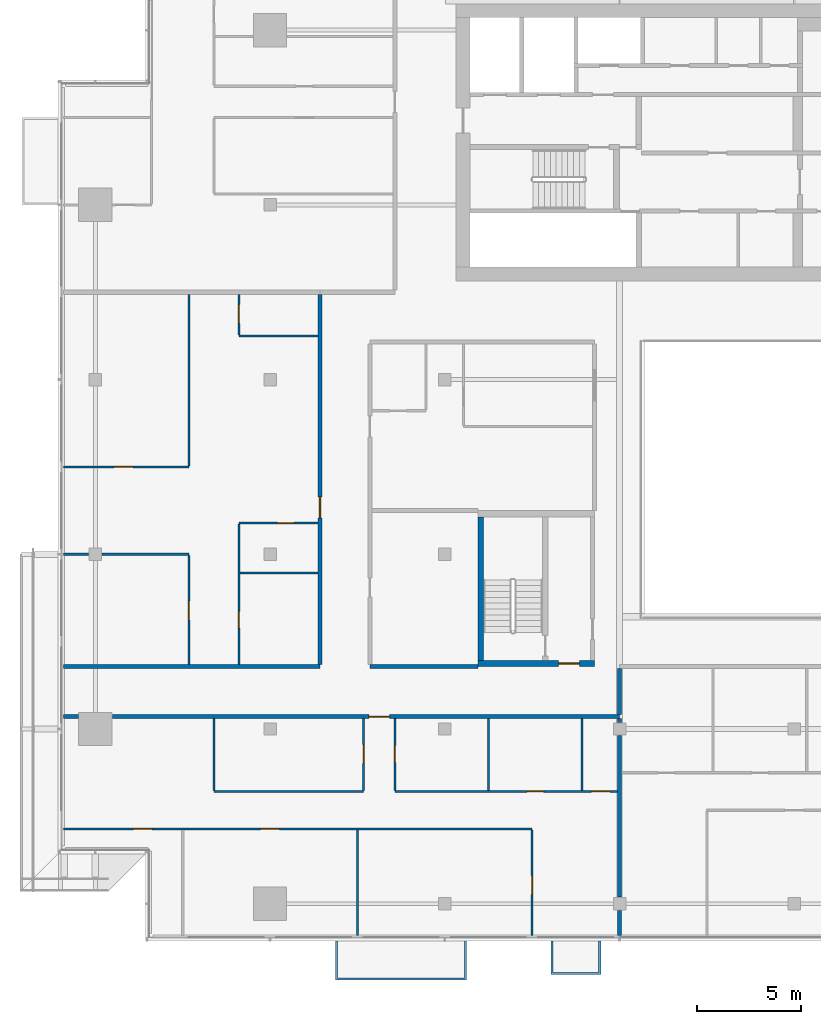
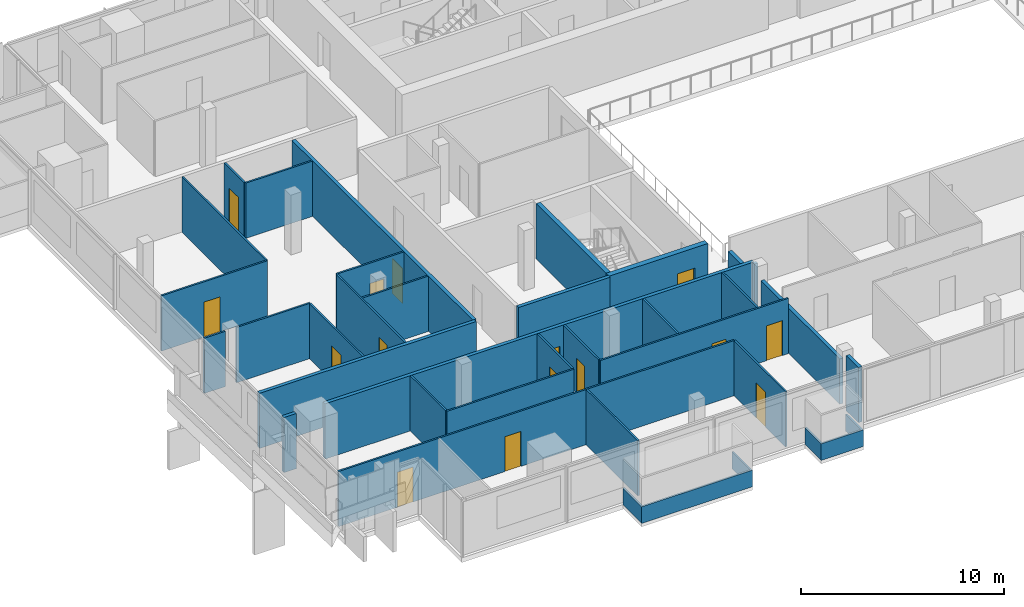
# One storey, part 18 of 30: 33 walls, 15 doors, 15 openings.
"""IFC4 building model written with IfcOpenShell, lengths in metres."""

from ifc_helpers import new_model, si_unit, direction, frame, frame_2d, origin, place, context, subcontext, project, spatial, polyline, rectangle, outline, extrude, material, layer, layer_set, type_object, element, fill, save


model = new_model("IFC4")

# Units and contexts
model_context = context("Model", 3, precision=1e-05, world=origin(), true_north=direction((0.0, 1.0)))
body_context = subcontext(model_context, "Body", "Model", "MODEL_VIEW")
ifc_project = project(units=[si_unit("LENGTHUNIT", "METRE"), si_unit("AREAUNIT", "SQUARE_METRE"), si_unit("VOLUMEUNIT", "CUBIC_METRE"), si_unit("PLANEANGLEUNIT", "RADIAN"), si_unit("MASSUNIT", "GRAM", prefix="KILO")], contexts=[model_context])

# Site, building, storey
site_placement = place(None, origin())
site = spatial("IfcSite", under=ifc_project, at=site_placement, CompositionType="ELEMENT")
building_placement = place(site_placement, origin())
building = spatial("IfcBuilding", under=site, at=building_placement, Name="Saffron Gate Tower", CompositionType="ELEMENT")
storey_placement = place(building_placement, frame((0.0, 0.0, 223.5)))
storey = spatial("IfcBuildingStorey", under=building, at=storey_placement, Name="L54", CompositionType="ELEMENT", Elevation=223.5)

# Wall
ifc_material_1 = material(Name="Concrete C60", Category="concrete")
ifc_layer_1 = layer(ifc_material_1, 0.25)
ifc_layer_set_1 = layer_set([ifc_layer_1], Name="CW14 RC core wall 250 C60")
wall_type_1 = type_object("IfcWallType", Name="CW14 RC core wall 250 C60", PredefinedType="SOLIDWALL", material=ifc_layer_set_1)
wall_1_placement = place(storey_placement, frame((68.324951171875, 43.5, 0.0), z_axis=(0.0, 0.0, 1.0), x_axis=(0.0, 1.0, 0.0)))
element("IfcWall", 1, at=wall_1_placement, inside=storey, type_object=wall_type_1, Name="Wall CW14-L54-D-2", PredefinedType="SOLIDWALL", context=body_context, shape_type="SweptSolid", body=[
    extrude(rectangle(XDim=6.89990234375, YDim=0.25, at=frame_2d((3.449951171875, 0.0))), origin(), (0.0, 0.0, 1.0), 3.320068359375),
])

# Wall, opening, door
ifc_layer_2 = layer(ifc_material_1, 0.300048828125)
ifc_layer_set_2 = layer_set([ifc_layer_2], Name="CW17 RC core wall 300 C60")
wall_type_2 = type_object("IfcWallType", Name="CW17 RC core wall 300 C60", PredefinedType="SOLIDWALL", material=ifc_layer_set_2)
wall_2_placement = place(storey_placement, frame((68.199951171875, 43.35009765625, 0.0), z_axis=(0.0, 0.0, 1.0), x_axis=(1.0, 0.0, 0.0)))
wall_2 = element("IfcWall", 2, at=wall_2_placement, inside=storey, type_object=wall_type_2, Name="Wall CW17-L54-D-1", PredefinedType="SOLIDWALL", context=body_context, shape_type="SweptSolid", body=[
    extrude(rectangle(XDim=5.60009765625, YDim=0.300048828125, at=frame_2d((2.800048828125, 0.0))), origin(), (0.0, 0.0, 1.0), 3.320068359375),
])
opening_1_placement = place(wall_2_placement, frame((3.875, 0.0, 0.0)))
opening_1 = element("IfcOpeningElement", 3, at=opening_1_placement, cuts=wall_2, Name="Opening CR-18", PredefinedType="OPENING", context=body_context, shape_type="SweptSolid", body=[
    extrude(rectangle(XDim=1.0, YDim=2.10009765625, at=frame_2d((0.5, 1.050048828125))), frame((0.0, 0.16015625, 0.0), z_axis=(0.0, -1.0, 0.0), x_axis=(1.0, 0.0, 0.0)), (0.0, 0.0, 1.0), 0.320068359375),
])
ifc_material_2 = material(Name="Steel fire door set", Category="steel")
door_type_1 = type_object("IfcDoorType", Name="CD4 Lobby door 1000x2100 EI 120", OperationType="NOTDEFINED", PredefinedType="DOOR", material=ifc_material_2)
door_1_placement = place(opening_1_placement, origin())
door_1 = element("IfcDoor", 4, at=door_1_placement, inside=storey, type_object=door_type_1, Name="DOOR CR-18", OperationType="SINGLE_SWING_RIGHT", OverallHeight=2.10009765625, OverallWidth=1.0, PredefinedType="DOOR", context=body_context, shape_type="SweptSolid", body=[
    extrude(rectangle(XDim=1.0, YDim=2.10009765625, at=frame_2d((0.5, 1.050048828125))), frame((0.0, 0.02490234375, 0.0), z_axis=(0.0, -1.0, 0.0), x_axis=(1.0, 0.0, 0.0)), (0.0, 0.0, 1.0), 0.050048828125),
])
fill(opening_1, door_1)

# Wall, openings, doors
ifc_material_3 = material(Name="Plasterboard on steel studs", Category="steel")
ifc_layer_3 = layer(ifc_material_3, 0.10009765625)
ifc_layer_set_3 = layer_set([ifc_layer_3], Name="PW1 Partition 100")
wall_type_3 = type_object("IfcWallType", Name="PW1 Partition 100", PredefinedType="PARTITIONING", material=ifc_layer_set_3)
wall_3_placement = place(storey_placement, frame((70.800048828125, 35.39990234375, 0.0), z_axis=(0.0, 0.0, 1.0), x_axis=(-1.0, 0.0, 0.0)))
wall_3 = element("IfcWall", 5, at=wall_3_placement, inside=storey, type_object=wall_type_3, Name="Partition D2-3", PredefinedType="PARTITIONING", context=body_context, shape_type="SweptSolid", body=[
    extrude(rectangle(XDim=22.52001953125, YDim=0.10009765625, at=frame_2d((11.260009765625, 0.0))), origin(), (0.0, 0.0, 1.0), 3.320068359375),
])
opening_2_placement = place(wall_3_placement, frame((12.14990234375, 0.0, 0.0)))
opening_2 = element("IfcOpeningElement", 6, at=opening_2_placement, cuts=wall_3, Name="Opening D2-11", PredefinedType="OPENING", context=body_context, shape_type="SweptSolid", body=[
    extrude(rectangle(XDim=0.89990234375, YDim=2.10009765625, at=frame_2d((0.449951171875, 1.050048828125))), frame((0.0, 0.06005859375, 0.0), z_axis=(0.0, -1.0, 0.0), x_axis=(1.0, 0.0, 0.0)), (0.0, 0.0, 1.0), 0.1201171875),
])
opening_3_placement = place(wall_3_placement, frame((18.2744140625, 0.0, 0.0)))
opening_3 = element("IfcOpeningElement", 7, at=opening_3_placement, cuts=wall_3, Name="Opening D2-10", PredefinedType="OPENING", context=body_context, shape_type="SweptSolid", body=[
    extrude(rectangle(XDim=0.89990234375, YDim=2.10009765625, at=frame_2d((0.449951171875, 1.050048828125))), frame((0.0, 0.06005859375, 0.0), z_axis=(0.0, -1.0, 0.0), x_axis=(1.0, 0.0, 0.0)), (0.0, 0.0, 1.0), 0.1201171875),
])
ifc_material_4 = material(Name="Timber door set", Category="wood")
door_type_2 = type_object("IfcDoorType", Name="RD1 Room door 900x2100", OperationType="NOTDEFINED", PredefinedType="DOOR", material=ifc_material_4)
door_2_placement = place(opening_2_placement, origin())
door_2 = element("IfcDoor", 8, at=door_2_placement, inside=storey, type_object=door_type_2, Name="Door D2-11", OperationType="SINGLE_SWING_RIGHT", OverallHeight=2.10009765625, OverallWidth=0.89990234375, PredefinedType="DOOR", context=body_context, shape_type="SweptSolid", body=[
    extrude(rectangle(XDim=0.89990234375, YDim=2.10009765625, at=frame_2d((0.449951171875, 1.050048828125))), frame((0.0, 0.02490234375, 0.0), z_axis=(0.0, -1.0, 0.0), x_axis=(1.0, 0.0, 0.0)), (0.0, 0.0, 1.0), 0.050048828125),
])
fill(opening_2, door_2)
door_3_placement = place(opening_3_placement, origin())
door_3 = element("IfcDoor", 9, at=door_3_placement, inside=storey, type_object=door_type_2, Name="Door D2-10", OperationType="SINGLE_SWING_LEFT", OverallHeight=2.10009765625, OverallWidth=0.89990234375, PredefinedType="DOOR", context=body_context, shape_type="SweptSolid", body=[
    extrude(rectangle(XDim=0.89990234375, YDim=2.10009765625, at=frame_2d((0.449951171875, 1.050048828125))), frame((0.0, 0.02490234375, 0.0), z_axis=(0.0, -1.0, 0.0), x_axis=(1.0, 0.0, 0.0)), (0.0, 0.0, 1.0), 0.050048828125),
])
fill(opening_3, door_3)

# Wall
wall_4_placement = place(storey_placement, frame((55.5, 37.199951171875, 0.0), z_axis=(0.0, 0.0, 1.0), x_axis=(1.0, 0.0, 0.0)))
element("IfcWall", 10, at=wall_4_placement, inside=storey, type_object=wall_type_3, Name="Partition D2-5", PredefinedType="PARTITIONING", context=body_context, shape_type="SweptSolid", body=[
    extrude(rectangle(XDim=7.199951171875, YDim=0.10009765625, at=frame_2d((3.60009765625, 0.0))), origin(), (0.0, 0.0, 1.0), 3.320068359375),
])

# Wall, openings, doors
wall_5_placement = place(storey_placement, frame((64.199951171875, 37.199951171875, 0.0), z_axis=(0.0, 0.0, 1.0), x_axis=(1.0, 0.0, 0.0)))
wall_5 = element("IfcWall", 11, at=wall_5_placement, inside=storey, type_object=wall_type_3, Name="Partition D2-6", PredefinedType="PARTITIONING", context=body_context, shape_type="SweptSolid", body=[
    extrude(rectangle(XDim=10.699951171875, YDim=0.10009765625, at=frame_2d((5.35009765625, 0.0))), origin(), (0.0, 0.0, 1.0), 3.320068359375),
])
opening_4_placement = place(wall_5_placement, frame((6.35009765625, 0.0, 0.0)))
opening_4 = element("IfcOpeningElement", 12, at=opening_4_placement, cuts=wall_5, Name="Opening D2-40", PredefinedType="OPENING", context=body_context, shape_type="SweptSolid", body=[
    extrude(rectangle(XDim=0.800048828125, YDim=2.10009765625, at=frame_2d((0.39990234375, 1.050048828125))), frame((0.0, 0.06005859375, 0.0), z_axis=(0.0, -1.0, 0.0), x_axis=(1.0, 0.0, 0.0)), (0.0, 0.0, 1.0), 0.1201171875),
])
opening_5_placement = place(wall_5_placement, frame((9.449951171875, 0.0, 0.0)))
opening_5 = element("IfcOpeningElement", 13, at=opening_5_placement, cuts=wall_5, Name="Opening D2-14", PredefinedType="OPENING", context=body_context, shape_type="SweptSolid", body=[
    extrude(rectangle(XDim=0.89990234375, YDim=2.10009765625, at=frame_2d((0.449951171875, 1.050048828125))), frame((0.0, 0.06005859375, 0.0), z_axis=(0.0, -1.0, 0.0), x_axis=(1.0, 0.0, 0.0)), (0.0, 0.0, 1.0), 0.1201171875),
])
door_4_placement = place(opening_5_placement, origin())
door_4 = element("IfcDoor", 14, at=door_4_placement, inside=storey, type_object=door_type_2, Name="Door D2-14", OperationType="SINGLE_SWING_RIGHT", OverallHeight=2.10009765625, OverallWidth=0.89990234375, PredefinedType="DOOR", context=body_context, shape_type="SweptSolid", body=[
    extrude(rectangle(XDim=0.89990234375, YDim=2.10009765625, at=frame_2d((0.449951171875, 1.050048828125))), frame((0.0, 0.02490234375, 0.0), z_axis=(0.0, -1.0, 0.0), x_axis=(1.0, 0.0, 0.0)), (0.0, 0.0, 1.0), 0.050048828125),
])
fill(opening_5, door_4)
door_type_3 = type_object("IfcDoorType", Name="RD2 Bathroom door 800x2100", OperationType="NOTDEFINED", PredefinedType="DOOR", material=ifc_material_4)
door_5_placement = place(opening_4_placement, origin())
door_5 = element("IfcDoor", 15, at=door_5_placement, inside=storey, type_object=door_type_3, Name="Door D2-40", OperationType="SINGLE_SWING_LEFT", OverallHeight=2.10009765625, OverallWidth=0.800048828125, PredefinedType="DOOR", context=body_context, shape_type="SweptSolid", body=[
    extrude(rectangle(XDim=0.800048828125, YDim=2.10009765625, at=frame_2d((0.39990234375, 1.050048828125))), frame((0.0, 0.02490234375, 0.0), z_axis=(0.0, -1.0, 0.0), x_axis=(1.0, 0.0, 0.0)), (0.0, 0.0, 1.0), 0.050048828125),
])
fill(opening_4, door_5)

# Walls
wall_6_placement = place(storey_placement, frame((56.75, 47.699951171875, 0.0), z_axis=(0.0, 0.0, 1.0), x_axis=(1.0, 0.0, 0.0)))
element("IfcWall", 16, at=wall_6_placement, inside=storey, type_object=wall_type_3, Name="Partition D2-18", PredefinedType="PARTITIONING", context=body_context, shape_type="SweptSolid", body=[
    extrude(rectangle(XDim=3.75, YDim=0.10009765625, at=frame_2d((1.875, 0.0))), origin(), (0.0, 0.0, 1.0), 3.320068359375),
])
wall_7_placement = place(storey_placement, frame((48.280029296875, 48.60009765625, 0.0), z_axis=(0.0, 0.0, 1.0), x_axis=(1.0, 0.0, 0.0)))
element("IfcWall", 17, at=wall_7_placement, inside=storey, type_object=wall_type_3, Name="Partition D2-19", PredefinedType="PARTITIONING", context=body_context, shape_type="SweptSolid", body=[
    extrude(rectangle(XDim=1.199951171875, YDim=0.10009765625, at=frame_2d((0.60009765625, 0.0))), origin(), (0.0, 0.0, 1.0), 3.320068359375),
])
wall_8_placement = place(storey_placement, frame((50.1201171875, 48.60009765625, 0.0), z_axis=(0.0, 0.0, 1.0), x_axis=(1.0, 0.0, 0.0)))
element("IfcWall", 18, at=wall_8_placement, inside=storey, type_object=wall_type_3, Name="Partition D2-20", PredefinedType="PARTITIONING", context=body_context, shape_type="SweptSolid", body=[
    extrude(rectangle(XDim=4.179931640625, YDim=0.10009765625, at=frame_2d((2.08984375, 0.0))), origin(), (0.0, 0.0, 1.0), 3.320068359375),
])

# Wall, opening, door
wall_9_placement = place(storey_placement, frame((60.5, 50.10009765625, 0.0), z_axis=(0.0, 0.0, 1.0), x_axis=(-1.0, 0.0, 0.0)))
wall_9 = element("IfcWall", 19, at=wall_9_placement, inside=storey, type_object=wall_type_3, Name="Partition D2-23", PredefinedType="PARTITIONING", context=body_context, shape_type="SweptSolid", body=[
    extrude(rectangle(XDim=3.800048828125, YDim=0.10009765625, at=frame_2d((1.89990234375, 0.0))), origin(), (0.0, 0.0, 1.0), 3.320068359375),
])
opening_6_placement = place(wall_9_placement, frame((1.14990234375, 0.0, 0.0)))
opening_6 = element("IfcOpeningElement", 20, at=opening_6_placement, cuts=wall_9, Name="Opening D2-46", PredefinedType="OPENING", context=body_context, shape_type="SweptSolid", body=[
    extrude(rectangle(XDim=0.800048828125, YDim=2.10009765625, at=frame_2d((0.39990234375, 1.050048828125))), frame((0.0, 0.06005859375, 0.0), z_axis=(0.0, -1.0, 0.0), x_axis=(1.0, 0.0, 0.0)), (0.0, 0.0, 1.0), 0.1201171875),
])
door_6_placement = place(opening_6_placement, origin())
door_6 = element("IfcDoor", 21, at=door_6_placement, inside=storey, type_object=door_type_3, Name="Door D2-46", OperationType="SINGLE_SWING_LEFT", OverallHeight=2.10009765625, OverallWidth=0.800048828125, PredefinedType="DOOR", context=body_context, shape_type="SweptSolid", body=[
    extrude(rectangle(XDim=0.800048828125, YDim=2.10009765625, at=frame_2d((0.39990234375, 1.050048828125))), frame((0.0, 0.02490234375, 0.0), z_axis=(0.0, -1.0, 0.0), x_axis=(1.0, 0.0, 0.0)), (0.0, 0.0, 1.0), 0.050048828125),
])
fill(opening_6, door_6)

wall_10_placement = place(storey_placement, frame((48.280029296875, 52.800048828125, 0.0), z_axis=(0.0, 0.0, 1.0), x_axis=(1.0, 0.0, 0.0)))
wall_10 = element("IfcWall", 22, at=wall_10_placement, inside=storey, type_object=wall_type_3, Name="Partition D2-27", PredefinedType="PARTITIONING", context=body_context, shape_type="SweptSolid", body=[
    extrude(rectangle(XDim=6.02001953125, YDim=0.10009765625, at=frame_2d((3.010009765625, 0.0))), origin(), (0.0, 0.0, 1.0), 3.320068359375),
])
opening_7_placement = place(wall_10_placement, frame((2.419921875, 0.0, 0.0)))
opening_7 = element("IfcOpeningElement", 23, at=opening_7_placement, cuts=wall_10, Name="Opening D2-26", PredefinedType="OPENING", context=body_context, shape_type="SweptSolid", body=[
    extrude(rectangle(XDim=0.89990234375, YDim=2.10009765625, at=frame_2d((0.449951171875, 1.050048828125))), frame((0.0, 0.06005859375, 0.0), z_axis=(0.0, -1.0, 0.0), x_axis=(1.0, 0.0, 0.0)), (0.0, 0.0, 1.0), 0.1201171875),
])
door_7_placement = place(opening_7_placement, origin())
door_7 = element("IfcDoor", 24, at=door_7_placement, inside=storey, type_object=door_type_2, Name="Door D2-26", OperationType="SINGLE_SWING_LEFT", OverallHeight=2.10009765625, OverallWidth=0.89990234375, PredefinedType="DOOR", context=body_context, shape_type="SweptSolid", body=[
    extrude(rectangle(XDim=0.89990234375, YDim=2.10009765625, at=frame_2d((0.449951171875, 1.050048828125))), frame((0.0, 0.02490234375, 0.0), z_axis=(0.0, -1.0, 0.0), x_axis=(1.0, 0.0, 0.0)), (0.0, 0.0, 1.0), 0.050048828125),
])
fill(opening_7, door_7)

# Wall
wall_11_placement = place(storey_placement, frame((56.699951171875, 59.10009765625, 0.0), z_axis=(0.0, 0.0, 1.0), x_axis=(1.0, 0.0, 0.0)))
element("IfcWall", 25, at=wall_11_placement, inside=storey, type_object=wall_type_3, Name="Partition D2-38", PredefinedType="PARTITIONING", context=body_context, shape_type="SweptSolid", body=[
    extrude(rectangle(XDim=3.800048828125, YDim=0.10009765625, at=frame_2d((1.89990234375, 0.0))), origin(), (0.0, 0.0, 1.0), 3.320068359375),
])

# Wall, opening, door
wall_12_placement = place(storey_placement, frame((54.300048828125, 43.300048828125, 0.0), z_axis=(0.0, 0.0, 1.0), x_axis=(0.0, 1.0, 0.0)))
wall_12 = element("IfcWall", 26, at=wall_12_placement, inside=storey, type_object=wall_type_3, Name="Partition D2-60", PredefinedType="PARTITIONING", context=body_context, shape_type="SweptSolid", body=[
    extrude(rectangle(XDim=5.25, YDim=0.10009765625, at=frame_2d((2.625, 0.0))), origin(), (0.0, 0.0, 1.0), 3.320068359375),
])
opening_8_placement = place(wall_12_placement, frame((2.14990234375, 0.0, 0.0)))
opening_8 = element("IfcOpeningElement", 27, at=opening_8_placement, cuts=wall_12, Name="Opening D2-25", PredefinedType="OPENING", context=body_context, shape_type="SweptSolid", body=[
    extrude(rectangle(XDim=0.89990234375, YDim=2.10009765625, at=frame_2d((0.449951171875, 1.050048828125))), frame((0.0, 0.06005859375, 0.0), z_axis=(0.0, -1.0, 0.0), x_axis=(1.0, 0.0, 0.0)), (0.0, 0.0, 1.0), 0.1201171875),
])
door_8_placement = place(opening_8_placement, origin())
door_8 = element("IfcDoor", 28, at=door_8_placement, inside=storey, type_object=door_type_2, Name="Door D2-25", OperationType="SINGLE_SWING_LEFT", OverallHeight=2.10009765625, OverallWidth=0.89990234375, PredefinedType="DOOR", context=body_context, shape_type="SweptSolid", body=[
    extrude(rectangle(XDim=0.89990234375, YDim=2.10009765625, at=frame_2d((0.449951171875, 1.050048828125))), frame((0.0, 0.02490234375, 0.0), z_axis=(0.0, -1.0, 0.0), x_axis=(1.0, 0.0, 0.0)), (0.0, 0.0, 1.0), 0.050048828125),
])
fill(opening_8, door_8)

# Walls
wall_13_placement = place(storey_placement, frame((54.300048828125, 61.10009765625, 0.0), z_axis=(0.0, 0.0, 1.0), x_axis=(0.0, -1.0, 0.0)))
element("IfcWall", 29, at=wall_13_placement, inside=storey, type_object=wall_type_3, Name="Partition D2-61", PredefinedType="PARTITIONING", context=body_context, shape_type="SweptSolid", body=[
    extrude(rectangle(XDim=8.25, YDim=0.10009765625, at=frame_2d((4.125, 0.0))), origin(), (0.0, 0.0, 1.0), 3.320068359375),
])
wall_14_placement = place(storey_placement, frame((55.5, 40.699951171875, 0.0), z_axis=(0.0, 0.0, 1.0), x_axis=(0.0, -1.0, 0.0)))
element("IfcWall", 30, at=wall_14_placement, inside=storey, type_object=wall_type_3, Name="Partition D2-62", PredefinedType="PARTITIONING", context=body_context, shape_type="SweptSolid", body=[
    extrude(rectangle(XDim=3.449951171875, YDim=0.10009765625, at=frame_2d((1.72509765625, 0.0))), origin(), (0.0, 0.0, 1.0), 3.320068359375),
])

# Wall, opening, door
wall_15_placement = place(storey_placement, frame((56.699951171875, 50.050048828125, 0.0), z_axis=(0.0, 0.0, 1.0), x_axis=(0.0, -1.0, 0.0)))
wall_15 = element("IfcWall", 31, at=wall_15_placement, inside=storey, type_object=wall_type_3, Name="Partition D2-65", PredefinedType="PARTITIONING", context=body_context, shape_type="SweptSolid", body=[
    extrude(rectangle(XDim=6.75, YDim=0.10009765625, at=frame_2d((3.375, 0.0))), origin(), (0.0, 0.0, 1.0), 3.320068359375),
])
opening_9_placement = place(wall_15_placement, frame((4.199951171875, 0.0, 0.0)))
opening_9 = element("IfcOpeningElement", 32, at=opening_9_placement, cuts=wall_15, Name="Opening D2-45", PredefinedType="OPENING", context=body_context, shape_type="SweptSolid", body=[
    extrude(rectangle(XDim=0.800048828125, YDim=2.10009765625, at=frame_2d((0.39990234375, 1.050048828125))), frame((0.0, 0.06005859375, 0.0), z_axis=(0.0, -1.0, 0.0), x_axis=(1.0, 0.0, 0.0)), (0.0, 0.0, 1.0), 0.1201171875),
])
door_9_placement = place(opening_9_placement, origin())
door_9 = element("IfcDoor", 33, at=door_9_placement, inside=storey, type_object=door_type_3, Name="Door D2-45", OperationType="SINGLE_SWING_RIGHT", OverallHeight=2.10009765625, OverallWidth=0.800048828125, PredefinedType="DOOR", context=body_context, shape_type="SweptSolid", body=[
    extrude(rectangle(XDim=0.800048828125, YDim=2.10009765625, at=frame_2d((0.39990234375, 1.050048828125))), frame((0.0, 0.02490234375, 0.0), z_axis=(0.0, -1.0, 0.0), x_axis=(1.0, 0.0, 0.0)), (0.0, 0.0, 1.0), 0.050048828125),
])
fill(opening_9, door_9)

wall_16_placement = place(storey_placement, frame((56.699951171875, 61.10009765625, 0.0), z_axis=(0.0, 0.0, 1.0), x_axis=(0.0, -1.0, 0.0)))
wall_16 = element("IfcWall", 34, at=wall_16_placement, inside=storey, type_object=wall_type_3, Name="Partition D2-66", PredefinedType="PARTITIONING", context=body_context, shape_type="SweptSolid", body=[
    extrude(rectangle(XDim=1.9501953125, YDim=0.10009765625, at=frame_2d((0.97509765625, 0.0))), origin(), (0.0, 0.0, 1.0), 3.320068359375),
])
opening_10_placement = place(wall_16_placement, frame((0.5, 0.0, 0.0)))
opening_10 = element("IfcOpeningElement", 35, at=opening_10_placement, cuts=wall_16, Name="Opening D2-27", PredefinedType="OPENING", context=body_context, shape_type="SweptSolid", body=[
    extrude(rectangle(XDim=0.89990234375, YDim=2.10009765625, at=frame_2d((0.449951171875, 1.050048828125))), frame((0.0, 0.06005859375, 0.0), z_axis=(0.0, -1.0, 0.0), x_axis=(1.0, 0.0, 0.0)), (0.0, 0.0, 1.0), 0.1201171875),
])
door_10_placement = place(opening_10_placement, origin())
door_10 = element("IfcDoor", 36, at=door_10_placement, inside=storey, type_object=door_type_2, Name="Door D2-27", OperationType="SINGLE_SWING_LEFT", OverallHeight=2.10009765625, OverallWidth=0.89990234375, PredefinedType="DOOR", context=body_context, shape_type="SweptSolid", body=[
    extrude(rectangle(XDim=0.89990234375, YDim=2.10009765625, at=frame_2d((0.449951171875, 1.050048828125))), frame((0.0, 0.02490234375, 0.0), z_axis=(0.0, -1.0, 0.0), x_axis=(1.0, 0.0, 0.0)), (0.0, 0.0, 1.0), 0.050048828125),
])
fill(opening_10, door_10)

# Wall
wall_17_placement = place(storey_placement, frame((62.39990234375, 35.35009765625, 0.0), z_axis=(0.0, 0.0, 1.0), x_axis=(0.0, -1.0, 0.0)))
element("IfcWall", 37, at=wall_17_placement, inside=storey, type_object=wall_type_3, Name="Partition D2-68", PredefinedType="PARTITIONING", context=body_context, shape_type="SweptSolid", body=[
    extrude(rectangle(XDim=5.070068359375, YDim=0.10009765625, at=frame_2d((2.53515625, 0.0))), origin(), (0.0, 0.0, 1.0), 3.320068359375),
])

# Wall, opening, door
wall_18_placement = place(storey_placement, frame((62.699951171875, 37.25, 0.0), z_axis=(0.0, 0.0, 1.0), x_axis=(0.0, 1.0, 0.0)))
wall_18 = element("IfcWall", 38, at=wall_18_placement, inside=storey, type_object=wall_type_3, Name="Partition D2-69", PredefinedType="PARTITIONING", context=body_context, shape_type="SweptSolid", body=[
    extrude(rectangle(XDim=3.449951171875, YDim=0.10009765625, at=frame_2d((1.72509765625, 0.0))), origin(), (0.0, 0.0, 1.0), 3.320068359375),
])
opening_11_placement = place(wall_18_placement, frame((1.300048828125, 0.0, 0.0)))
opening_11 = element("IfcOpeningElement", 39, at=opening_11_placement, cuts=wall_18, Name="Opening D2-13", PredefinedType="OPENING", context=body_context, shape_type="SweptSolid", body=[
    extrude(rectangle(XDim=0.89990234375, YDim=2.10009765625, at=frame_2d((0.449951171875, 1.050048828125))), frame((0.0, 0.06005859375, 0.0), z_axis=(0.0, -1.0, 0.0), x_axis=(1.0, 0.0, 0.0)), (0.0, 0.0, 1.0), 0.1201171875),
])
door_11_placement = place(opening_11_placement, origin())
door_11 = element("IfcDoor", 40, at=door_11_placement, inside=storey, type_object=door_type_2, Name="Door D2-13", OperationType="SINGLE_SWING_RIGHT", OverallHeight=2.10009765625, OverallWidth=0.89990234375, PredefinedType="DOOR", context=body_context, shape_type="SweptSolid", body=[
    extrude(rectangle(XDim=0.89990234375, YDim=2.10009765625, at=frame_2d((0.449951171875, 1.050048828125))), frame((0.0, 0.02490234375, 0.0), z_axis=(0.0, -1.0, 0.0), x_axis=(1.0, 0.0, 0.0)), (0.0, 0.0, 1.0), 0.050048828125),
])
fill(opening_11, door_11)

wall_19_placement = place(storey_placement, frame((64.199951171875, 40.699951171875, 0.0), z_axis=(0.0, 0.0, 1.0), x_axis=(0.0, -1.0, 0.0)))
wall_19 = element("IfcWall", 41, at=wall_19_placement, inside=storey, type_object=wall_type_3, Name="Partition D2-72", PredefinedType="PARTITIONING", context=body_context, shape_type="SweptSolid", body=[
    extrude(rectangle(XDim=3.449951171875, YDim=0.10009765625, at=frame_2d((1.72509765625, 0.0))), origin(), (0.0, 0.0, 1.0), 3.320068359375),
])
opening_12_placement = place(wall_19_placement, frame((1.300048828125, 0.0, 0.0)))
opening_12 = element("IfcOpeningElement", 42, at=opening_12_placement, cuts=wall_19, Name="Opening D2-39", PredefinedType="OPENING", context=body_context, shape_type="SweptSolid", body=[
    extrude(rectangle(XDim=0.800048828125, YDim=2.10009765625, at=frame_2d((0.39990234375, 1.050048828125))), frame((0.0, 0.06005859375, 0.0), z_axis=(0.0, -1.0, 0.0), x_axis=(1.0, 0.0, 0.0)), (0.0, 0.0, 1.0), 0.1201171875),
])
door_12_placement = place(opening_12_placement, origin())
door_12 = element("IfcDoor", 43, at=door_12_placement, inside=storey, type_object=door_type_3, Name="Door D2-39", OperationType="SINGLE_SWING_LEFT", OverallHeight=2.10009765625, OverallWidth=0.800048828125, PredefinedType="DOOR", context=body_context, shape_type="SweptSolid", body=[
    extrude(rectangle(XDim=0.800048828125, YDim=2.10009765625, at=frame_2d((0.39990234375, 1.050048828125))), frame((0.0, 0.02490234375, 0.0), z_axis=(0.0, -1.0, 0.0), x_axis=(1.0, 0.0, 0.0)), (0.0, 0.0, 1.0), 0.050048828125),
])
fill(opening_12, door_12)

# Wall
wall_20_placement = place(storey_placement, frame((68.699951171875, 40.699951171875, 0.0), z_axis=(0.0, 0.0, 1.0), x_axis=(0.0, -1.0, 0.0)))
element("IfcWall", 44, at=wall_20_placement, inside=storey, type_object=wall_type_3, Name="Partition D2-75", PredefinedType="PARTITIONING", context=body_context, shape_type="SweptSolid", body=[
    extrude(rectangle(XDim=3.449951171875, YDim=0.10009765625, at=frame_2d((1.72509765625, 0.0))), origin(), (0.0, 0.0, 1.0), 3.320068359375),
])

# Wall, opening, door
wall_21_placement = place(storey_placement, frame((70.800048828125, 30.280029296875, 0.0), z_axis=(0.0, 0.0, 1.0), x_axis=(0.0, 1.0, 0.0)))
wall_21 = element("IfcWall", 45, at=wall_21_placement, inside=storey, type_object=wall_type_3, Name="Partition D2-76", PredefinedType="PARTITIONING", context=body_context, shape_type="SweptSolid", body=[
    extrude(rectangle(XDim=5.070068359375, YDim=0.10009765625, at=frame_2d((2.53515625, 0.0))), origin(), (0.0, 0.0, 1.0), 3.320068359375),
])
opening_13_placement = place(wall_21_placement, frame((1.969970703125, 0.0, 0.0)))
opening_13 = element("IfcOpeningElement", 46, at=opening_13_placement, cuts=wall_21, Name="Opening D2-12", PredefinedType="OPENING", context=body_context, shape_type="SweptSolid", body=[
    extrude(rectangle(XDim=0.89990234375, YDim=2.10009765625, at=frame_2d((0.449951171875, 1.050048828125))), frame((0.0, 0.06005859375, 0.0), z_axis=(0.0, -1.0, 0.0), x_axis=(1.0, 0.0, 0.0)), (0.0, 0.0, 1.0), 0.1201171875),
])
door_13_placement = place(opening_13_placement, origin())
door_13 = element("IfcDoor", 47, at=door_13_placement, inside=storey, type_object=door_type_2, Name="Door D2-12", OperationType="SINGLE_SWING_LEFT", OverallHeight=2.10009765625, OverallWidth=0.89990234375, PredefinedType="DOOR", context=body_context, shape_type="SweptSolid", body=[
    extrude(rectangle(XDim=0.89990234375, YDim=2.10009765625, at=frame_2d((0.449951171875, 1.050048828125))), frame((0.0, 0.02490234375, 0.0), z_axis=(0.0, -1.0, 0.0), x_axis=(1.0, 0.0, 0.0)), (0.0, 0.0, 1.0), 0.050048828125),
])
fill(opening_13, door_13)

# Walls
wall_22_placement = place(storey_placement, frame((73.199951171875, 40.699951171875, 0.0), z_axis=(0.0, 0.0, 1.0), x_axis=(0.0, -1.0, 0.0)))
element("IfcWall", 48, at=wall_22_placement, inside=storey, type_object=wall_type_3, Name="Partition D2-77", PredefinedType="PARTITIONING", context=body_context, shape_type="SweptSolid", body=[
    extrude(rectangle(XDim=3.449951171875, YDim=0.10009765625, at=frame_2d((1.72509765625, 0.0))), origin(), (0.0, 0.0, 1.0), 3.320068359375),
])
ifc_material_5 = material(Name="Clay brick masonry, rendered", Category="masonry")
ifc_layer_4 = layer(ifc_material_5, 0.199951171875)
ifc_layer_set_4 = layer_set([ifc_layer_4], Name="PW2 Demising wall 200")
wall_type_4 = type_object("IfcWallType", Name="PW2 Demising wall 200", PredefinedType="PARTITIONING", material=ifc_layer_set_4)
wall_23_placement = place(storey_placement, frame((75.0, 31.47998046875, 0.0), z_axis=(0.0, 0.0, 1.0), x_axis=(0.0, -1.0, 0.0)))
element("IfcWall", 49, at=wall_23_placement, inside=storey, type_object=wall_type_4, Name="Wall D2-80", PredefinedType="PARTITIONING", context=body_context, shape_type="SweptSolid", body=[
    extrude(rectangle(XDim=1.199951171875, YDim=0.199951171875, at=frame_2d((0.60009765625, 0.0))), origin(), (0.0, 0.0, 1.0), 3.320068359375),
])
wall_24_placement = place(storey_placement, frame((75.0, 39.8798828125, 0.0), z_axis=(0.0, 0.0, 1.0), x_axis=(0.0, -1.0, 0.0)))
element("IfcWall", 50, at=wall_24_placement, inside=storey, type_object=wall_type_4, Name="Wall D2-81", PredefinedType="PARTITIONING", context=body_context, shape_type="SweptSolid", body=[
    extrude(rectangle(XDim=7.759765625, YDim=0.199951171875, at=frame_2d((3.8798828125, 0.0))), origin(), (0.0, 0.0, 1.0), 2.719970703125),
])
wall_25_placement = place(storey_placement, frame((75.0, 40.699951171875, 0.0), z_axis=(0.0, 0.0, 1.0), x_axis=(0.0, -1.0, 0.0)))
element("IfcWall", 51, at=wall_25_placement, inside=storey, type_object=wall_type_4, Name="Wall D2-82", PredefinedType="PARTITIONING", context=body_context, shape_type="SweptSolid", body=[
    extrude(rectangle(XDim=0.179931640625, YDim=0.199951171875, at=frame_2d((0.08984375, 0.0))), origin(), (0.0, 0.0, 1.0), 3.320068359375),
])
ifc_layer_5 = layer(ifc_material_5, 0.199951171875)
ifc_layer_set_5 = layer_set([ifc_layer_5], Name="PW3 Corridor wall 200")
wall_type_5 = type_object("IfcWallType", Name="PW3 Corridor wall 200", PredefinedType="PARTITIONING", material=ifc_layer_set_5)
wall_26_placement = place(storey_placement, frame((48.280029296875, 40.800048828125, 0.0), z_axis=(0.0, 0.0, 1.0), x_axis=(1.0, 0.0, 0.0)))
element("IfcWall", 52, at=wall_26_placement, inside=storey, type_object=wall_type_5, Name="Wall D2-9", PredefinedType="PARTITIONING", context=body_context, shape_type="SweptSolid", body=[
    extrude(rectangle(XDim=0.699951171875, YDim=0.199951171875, at=frame_2d((0.35009765625, 0.0))), origin(), (0.0, 0.0, 1.0), 3.320068359375),
])

# Wall, opening, door
wall_27_placement = place(storey_placement, frame((75.0, 40.800048828125, 0.0), z_axis=(0.0, 0.0, 1.0), x_axis=(-1.0, 0.0, 0.0)))
wall_27 = element("IfcWall", 53, at=wall_27_placement, inside=storey, type_object=wall_type_5, Name="Wall D2-10", PredefinedType="PARTITIONING", context=body_context, shape_type="SweptSolid", body=[
    extrude(rectangle(XDim=24.3798828125, YDim=0.199951171875, at=frame_2d((12.18994140625, 0.0))), origin(), (0.0, 0.0, 1.0), 3.320068359375),
])
opening_14_placement = place(wall_27_placement, frame((11.050048828125, 0.0, 0.0)))
opening_14 = element("IfcOpeningElement", 54, at=opening_14_placement, cuts=wall_27, Name="Opening D2-1", PredefinedType="OPENING", context=body_context, shape_type="SweptSolid", body=[
    extrude(rectangle(XDim=1.0, YDim=2.10009765625, at=frame_2d((0.5, 1.050048828125))), frame((0.0, 0.10986328125, 0.0), z_axis=(0.0, -1.0, 0.0), x_axis=(1.0, 0.0, 0.0)), (0.0, 0.0, 1.0), 0.219970703125),
])
ifc_material_6 = material(Name="Timber fire door set", Category="wood")
door_type_4 = type_object("IfcDoorType", Name="FD1 Flat entry door 1000x2100", OperationType="NOTDEFINED", PredefinedType="DOOR", material=ifc_material_6)
door_14_placement = place(opening_14_placement, origin())
door_14 = element("IfcDoor", 55, at=door_14_placement, inside=storey, type_object=door_type_4, Name="Door D2-1", OperationType="SINGLE_SWING_LEFT", OverallHeight=2.10009765625, OverallWidth=1.0, PredefinedType="DOOR", context=body_context, shape_type="SweptSolid", body=[
    extrude(rectangle(XDim=1.0, YDim=2.10009765625, at=frame_2d((0.5, 1.050048828125))), frame((0.0, 0.02490234375, 0.0), z_axis=(0.0, -1.0, 0.0), x_axis=(1.0, 0.0, 0.0)), (0.0, 0.0, 1.0), 0.050048828125),
])
fill(opening_14, door_14)

# Walls
wall_28_placement = place(storey_placement, frame((48.280029296875, 43.199951171875, 0.0), z_axis=(0.0, 0.0, 1.0), x_axis=(1.0, 0.0, 0.0)))
element("IfcWall", 56, at=wall_28_placement, inside=storey, type_object=wall_type_5, Name="Wall D2-13", PredefinedType="PARTITIONING", context=body_context, shape_type="SweptSolid", body=[
    extrude(rectangle(XDim=12.320068359375, YDim=0.199951171875, at=frame_2d((6.16015625, 0.0))), origin(), (0.0, 0.0, 1.0), 3.320068359375),
])
wall_29_placement = place(storey_placement, frame((63.0, 43.199951171875, 0.0), z_axis=(0.0, 0.0, 1.0), x_axis=(1.0, 0.0, 0.0)))
element("IfcWall", 57, at=wall_29_placement, inside=storey, type_object=wall_type_5, Name="Wall D2-14", PredefinedType="PARTITIONING", context=body_context, shape_type="SweptSolid", body=[
    extrude(rectangle(XDim=5.199951171875, YDim=0.199951171875, at=frame_2d((2.60009765625, 0.0))), origin(), (0.0, 0.0, 1.0), 3.320068359375),
])

# Wall, opening, door
wall_30_placement = place(storey_placement, frame((60.60009765625, 43.300048828125, 0.0), z_axis=(0.0, 0.0, 1.0), x_axis=(0.0, 1.0, 0.0)))
wall_30 = element("IfcWall", 58, at=wall_30_placement, inside=storey, type_object=wall_type_5, Name="Wall D2-67", PredefinedType="PARTITIONING", context=body_context, shape_type="SweptSolid", body=[
    extrude(rectangle(XDim=17.800048828125, YDim=0.199951171875, at=frame_2d((8.89990234375, 0.0))), origin(), (0.0, 0.0, 1.0), 3.320068359375),
])
opening_15_placement = place(wall_30_placement, frame((7.050048828125, 0.0, 0.0)))
opening_15 = element("IfcOpeningElement", 59, at=opening_15_placement, cuts=wall_30, Name="Opening D2-4", PredefinedType="OPENING", context=body_context, shape_type="SweptSolid", body=[
    extrude(rectangle(XDim=1.0, YDim=2.10009765625, at=frame_2d((0.5, 1.050048828125))), frame((0.0, 0.10986328125, 0.0), z_axis=(0.0, -1.0, 0.0), x_axis=(1.0, 0.0, 0.0)), (0.0, 0.0, 1.0), 0.219970703125),
])
door_15_placement = place(opening_15_placement, origin())
door_15 = element("IfcDoor", 60, at=door_15_placement, inside=storey, type_object=door_type_4, Name="Door D2-4", OperationType="SINGLE_SWING_RIGHT", OverallHeight=2.10009765625, OverallWidth=1.0, PredefinedType="DOOR", context=body_context, shape_type="SweptSolid", body=[
    extrude(rectangle(XDim=1.0, YDim=2.10009765625, at=frame_2d((0.5, 1.050048828125))), frame((0.0, 0.02490234375, 0.0), z_axis=(0.0, -1.0, 0.0), x_axis=(1.0, 0.0, 0.0)), (0.0, 0.0, 1.0), 0.050048828125),
])
fill(opening_15, door_15)

# Walls
wall_31_placement = place(storey_placement, frame((75.0, 43.10009765625, 0.0), z_axis=(0.0, 0.0, 1.0), x_axis=(0.0, -1.0, 0.0)))
element("IfcWall", 61, at=wall_31_placement, inside=storey, type_object=wall_type_5, Name="Wall D2-79", PredefinedType="PARTITIONING", context=body_context, shape_type="SweptSolid", body=[
    extrude(rectangle(XDim=2.2001953125, YDim=0.199951171875, at=frame_2d((1.10009765625, 0.0))), origin(), (0.0, 0.0, 1.0), 2.530029296875),
])
ifc_material_7 = material(Name="Rendered insulated panel, white")
ifc_layer_6 = layer(ifc_material_7, 0.10009765625)
ifc_layer_set_6 = layer_set([ifc_layer_6], Name="WB3 box parapet white")
wall_type_6 = type_object("IfcWallType", Name="WB3 box parapet white", PredefinedType="SOLIDWALL", material=ifc_layer_set_6)
wall_32_placement = place(storey_placement, origin())
element("IfcWall", 62, at=wall_32_placement, inside=storey, type_object=wall_type_6, Name="WINDOW BOX parapet", PredefinedType="SOLIDWALL", context=body_context, shape_type="SweptSolid", body=[
    extrude(outline(polyline([(61.35009765625, 30.0), (61.449951171875, 30.0), (61.449951171875, 28.23291015625), (67.550048828125, 28.23291015625), (67.550048828125, 30.0), (67.64990234375, 30.0), (67.64990234375, 28.133056640625), (61.35009765625, 28.133056640625), (61.35009765625, 30.0)])), origin(), (0.0, 0.0, 1.0), 1.0),
])
wall_33_placement = place(storey_placement, origin())
element("IfcWall", 63, at=wall_33_placement, inside=storey, type_object=wall_type_6, Name="WINDOW BOX parapet", PredefinedType="SOLIDWALL", context=body_context, shape_type="SweptSolid", body=[
    extrude(outline(polyline([(71.699951171875, 30.0), (71.800048828125, 30.0), (71.800048828125, 28.5), (74.0, 28.5), (74.0, 30.0), (74.10009765625, 30.0), (74.10009765625, 28.39990234375), (71.699951171875, 28.39990234375), (71.699951171875, 30.0)])), origin(), (0.0, 0.0, 1.0), 1.0),
])

save(model, "model.ifc")
